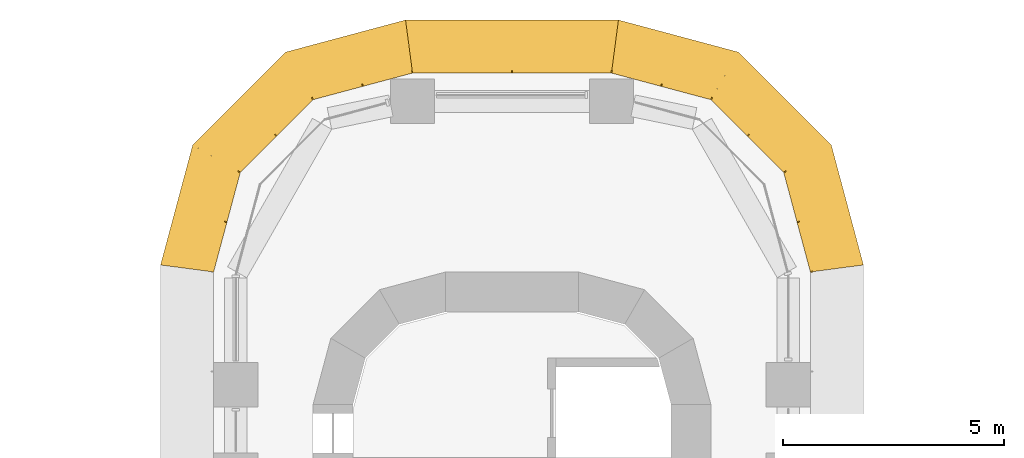
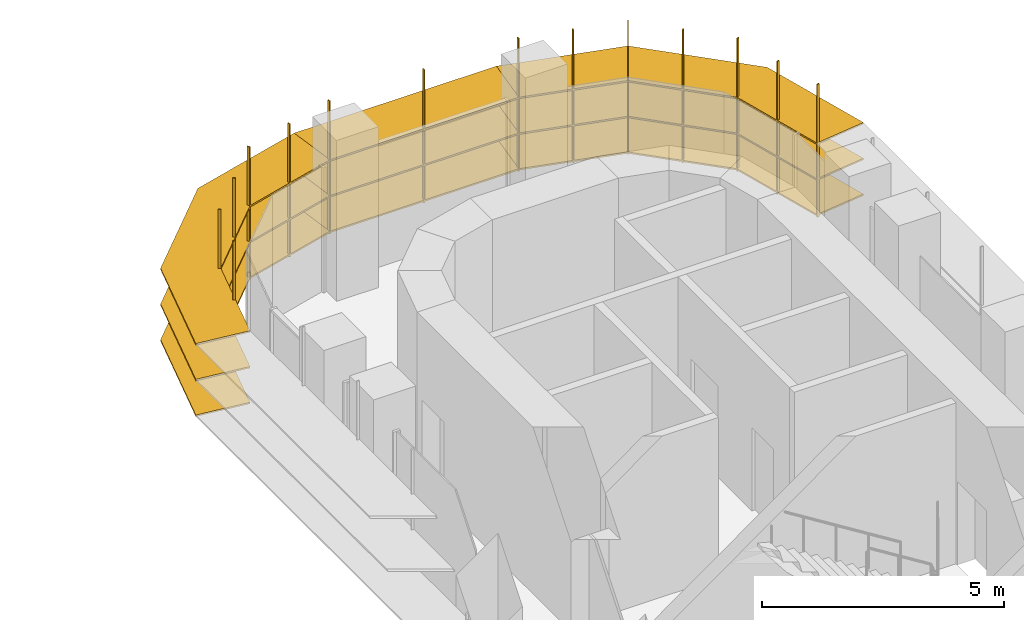
# One storey, part 23 of 23: 3 shading devices.
"""IFC4 building model written with IfcOpenShell, lengths in metres."""

import ifcopenshell
import ifcopenshell.guid

model = None  # the IFC model being written
_history = None  # IfcOwnerHistory: only IFC2X3 demands one
_inside = {}  # id of a spatial element -> (the spatial element, [elements in it])
_under = {}  # id of a project, library or spatial element -> (it, [spatial elements below it])
_declared = {}  # id of a project -> (the project, [libraries it declares])
_typed = {}  # id of a type object -> (the type object, [elements of that type])
_made_of = {}  # id of a material, layer set ... -> (it, [elements and type objects made of it])


def new_model(schema):
    """Start an empty IFC model of exactly this schema.

    Asked for "IFC4X3", IfcOpenShell would pick the latest addendum, in which some entities
    have other attributes; the version numbers below select the first issue.
    IFC2X3 requires an IfcOwnerHistory on every rooted entity: one is made here for all.
    """
    global model, _history
    if schema == "IFC4X3":
        model = ifcopenshell.file(schema_version=(4, 3, 0, 0))
    else:
        model = ifcopenshell.file(schema=schema)
    _inside.clear()
    _under.clear()
    _declared.clear()
    _typed.clear()
    _made_of.clear()
    _history = None
    if model.schema == "IFC2X3":
        org = make("IfcOrganization", Name="unknown")
        user = make(
            "IfcPersonAndOrganization",
            ThePerson=make("IfcPerson", FamilyName="unknown"),
            TheOrganization=org,
        )
        app = make(
            "IfcApplication",
            ApplicationDeveloper=org,
            Version="unknown",
            ApplicationFullName="unknown",
            ApplicationIdentifier="unknown",
        )
        _history = make(
            "IfcOwnerHistory",
            OwningUser=user,
            OwningApplication=app,
            ChangeAction="ADDED",
            CreationDate=0,
        )
    return model


def make(cls, **values):
    """One entity of the class cls with the attributes given. An attribute that is None is left unset."""
    return model.create_entity(
        cls, **{name: value for name, value in values.items() if value is not None}
    )


def rooted(cls, **values):
    """An entity with a GlobalId (a new one), such as an element, a storey or a relation."""
    return make(cls, GlobalId=ifcopenshell.guid.new(), OwnerHistory=_history, **values)


def si_unit(unit_type, name, prefix=None):
    """IfcSIUnit, for example si_unit("LENGTHUNIT", "METRE", prefix="MILLI")."""
    return make("IfcSIUnit", UnitType=unit_type, Prefix=prefix, Name=name)


def assignment(units):
    """IfcUnitAssignment: the units of a project."""
    return None if units is None else make("IfcUnitAssignment", Units=units)


def point(xyz):
    """IfcCartesianPoint."""
    return None if xyz is None else make("IfcCartesianPoint", Coordinates=xyz)


def direction(xyz):
    """IfcDirection."""
    return None if xyz is None else make("IfcDirection", DirectionRatios=xyz)


def frame(location, z_axis=None, x_axis=None):
    """IfcAxis2Placement3D, a coordinate frame: its origin and axes. An axis left out is left unset."""
    return make(
        "IfcAxis2Placement3D",
        Location=point(location),
        Axis=direction(z_axis),
        RefDirection=direction(x_axis),
    )


def origin():
    """The frame at (0, 0, 0) with its axes left unset."""
    return frame((0.0, 0.0, 0.0))


def place(relative_to, where):
    """IfcLocalPlacement: puts the frame where relative to a parent placement (None: the world)."""
    return make(
        "IfcLocalPlacement", PlacementRelTo=relative_to, RelativePlacement=where
    )


def context(
    kind, dimensions, precision=None, world=None, true_north=None, identifier=None
):
    """IfcGeometricRepresentationContext, for example the 3D "Model" context."""
    return make(
        "IfcGeometricRepresentationContext",
        ContextIdentifier=identifier,
        ContextType=kind,
        CoordinateSpaceDimension=dimensions,
        Precision=precision,
        WorldCoordinateSystem=world,
        TrueNorth=true_north,
    )


def subcontext(parent, identifier, kind, view, scale=None):
    """IfcGeometricRepresentationSubContext, for example "Body" below "Model"."""
    return make(
        "IfcGeometricRepresentationSubContext",
        ContextIdentifier=identifier,
        ContextType=kind,
        ParentContext=parent,
        TargetScale=scale,
        TargetView=view,
    )


def project(units=None, contexts=None):
    """IfcProject with its units and contexts."""
    return rooted(
        "IfcProject",
        Name="project",
        RepresentationContexts=contexts,
        UnitsInContext=assignment(units),
    )


def spatial(cls, under=None, at=None, **own):
    """A site, building, storey or space (cls), placed at a placement, below another one or the project."""
    s = rooted(cls, ObjectPlacement=at, **own)
    if under is not None:
        _under.setdefault(under.id(), (under, []))[1].append(s)
    return s


def polyline(points):
    """IfcPolyline through the points."""
    return make("IfcPolyline", Points=[point(p) for p in points])


def outline(outer, holes=None, kind="AREA"):
    """IfcArbitraryClosedProfileDef: a profile drawn as a closed curve; with holes, ...WithVoids."""
    if holes is None:
        return make("IfcArbitraryClosedProfileDef", ProfileType=kind, OuterCurve=outer)
    return make(
        "IfcArbitraryProfileDefWithVoids",
        ProfileType=kind,
        OuterCurve=outer,
        InnerCurves=holes,
    )


def extrude(swept, where, along, depth):
    """IfcExtrudedAreaSolid: the profile swept, set in the frame where, extruded along a direction by depth."""
    return make(
        "IfcExtrudedAreaSolid",
        SweptArea=swept,
        Position=where,
        ExtrudedDirection=direction(along),
        Depth=depth,
    )


def faces_of(points, faces, orient=None, outer=None):
    """IfcFace entities. A face is a list of loops; a loop is a list of indices into points, from 0.

    orient and outer hold one flag for each loop. By default every Orientation is true, the
    first loop of a face is its IfcFaceOuterBound and the others are IfcFaceBound.
    """
    made = []
    for i, loops in enumerate(faces):
        bounds = []
        for j, loop in enumerate(loops):
            is_outer = j == 0 if outer is None else outer[i][j]
            bounds.append(
                make(
                    "IfcFaceOuterBound" if is_outer else "IfcFaceBound",
                    Bound=make("IfcPolyLoop", Polygon=[points[k] for k in loop]),
                    Orientation=True if orient is None else orient[i][j],
                )
            )
        made.append(make("IfcFace", Bounds=bounds))
    return made


def faceted_brep(points, faces, orient=None, outer=None, voids=None):
    """IfcFacetedBrep: a solid bounded by flat faces; with voids (closed shells), ...WithVoids."""
    shared = [point(p) for p in points]
    hull = make("IfcClosedShell", CfsFaces=faces_of(shared, faces, orient, outer))
    if voids is None:
        return make("IfcFacetedBrep", Outer=hull)
    return make(
        "IfcFacetedBrepWithVoids",
        Outer=hull,
        Voids=[
            make(cls, CfsFaces=faces_of(shared, fs, o, b)) for cls, fs, o, b in voids
        ],
    )


def shape(context_of_items, identifier, shape_type, items):
    """IfcShapeRepresentation: the items that make up one representation, for example the "Body"."""
    return make(
        "IfcShapeRepresentation",
        ContextOfItems=context_of_items,
        RepresentationIdentifier=identifier,
        RepresentationType=shape_type,
        Items=items,
    )


def source(mapping_origin, context_of_items, identifier, shape_type, items):
    """IfcRepresentationMap: a shape defined once, which mapped items show again and again."""
    return make(
        "IfcRepresentationMap",
        MappingOrigin=mapping_origin,
        MappedRepresentation=shape(context_of_items, identifier, shape_type, items),
    )


def transform(
    local_origin,
    x_axis=None,
    y_axis=None,
    z_axis=None,
    scale=None,
    scale2=None,
    scale3=None,
    uniform=True,
):
    """IfcCartesianTransformationOperator3D, or its non-uniform kind. x_axis, y_axis, z_axis: its Axis1, 2, 3."""
    if uniform:
        return make(
            "IfcCartesianTransformationOperator3D",
            Axis1=direction(x_axis),
            Axis2=direction(y_axis),
            LocalOrigin=point(local_origin),
            Scale=scale,
            Axis3=direction(z_axis),
        )
    return make(
        "IfcCartesianTransformationOperator3DnonUniform",
        Axis1=direction(x_axis),
        Axis2=direction(y_axis),
        LocalOrigin=point(local_origin),
        Scale=scale,
        Axis3=direction(z_axis),
        Scale2=scale2,
        Scale3=scale3,
    )


def mapped(mapping_source, mapping_target):
    """IfcMappedItem: shows the shape of a source again, moved by a transform."""
    return make(
        "IfcMappedItem", MappingSource=mapping_source, MappingTarget=mapping_target
    )


def material(Name=None, Category=None):
    """IfcMaterial."""
    return make("IfcMaterial", Name=Name, Category=Category)


def made_of(thing, what):
    """Note that an element or type object is made of a material, layer set ...; save() writes the relation."""
    if what is not None:
        _made_of.setdefault(what.id(), (what, []))[1].append(thing)
    return thing


def type_object(cls, material=None, **own):
    """A type object (cls), such as IfcWallType, which elements share."""
    return made_of(rooted(cls, **own), material)


def element(
    cls,
    number,
    at=None,
    inside=None,
    cuts=None,
    type_object=None,
    material=None,
    context=None,
    identifier="Body",
    shape_type=None,
    held_by="IfcProductDefinitionShape",
    body=None,
    shapes=None,
    **own,
):
    """One element of the class cls, such as IfcWall. Its Tag is "e" and its number.

    at: its placement. inside: the storey or other place that contains it. cuts: it is an
    opening in that element (IfcRelVoidsElement). A single representation is given by context,
    identifier, shape_type and body (its items); several are given by shapes. held_by: the class
    of the entity that holds the representations. save() writes the other relations.
    """
    e = rooted(cls, Tag="e%d" % number, ObjectPlacement=at, **own)
    if body is not None:
        shapes = [shape(context, identifier, shape_type, body)]
    if shapes is not None:
        e.Representation = make(held_by, Representations=shapes)
    if inside is not None:
        _inside.setdefault(inside.id(), (inside, []))[1].append(e)
    if cuts is not None:
        rooted(
            "IfcRelVoidsElement", RelatingBuildingElement=cuts, RelatedOpeningElement=e
        )
    if type_object is not None:
        _typed.setdefault(type_object.id(), (type_object, []))[1].append(e)
    return made_of(e, material)


def aggregate(whole, parts):
    """IfcRelAggregates: a whole, such as a stair, and the parts it consists of."""
    return rooted("IfcRelAggregates", RelatingObject=whole, RelatedObjects=parts)


def save(model, path):
    """Write the relations noted so far, then the file.

    IfcRelAggregates (storeys below a building ...), IfcRelContainedInSpatialStructure (elements
    in a storey), IfcRelDefinesByType, IfcRelAssociatesMaterial and IfcRelDeclares: one each for
    every whole, place, type object, material and project.
    """
    for whole, parts in _under.values():
        aggregate(whole, parts)
    for where, things in _inside.values():
        rooted(
            "IfcRelContainedInSpatialStructure",
            RelatedElements=things,
            RelatingStructure=where,
        )
    for kind, things in _typed.values():
        rooted("IfcRelDefinesByType", RelatedObjects=things, RelatingType=kind)
    for what, things in _made_of.values():
        rooted("IfcRelAssociatesMaterial", RelatedObjects=things, RelatingMaterial=what)
    for by, libraries in _declared.values():
        rooted("IfcRelDeclares", RelatingContext=by, RelatedDefinitions=libraries)
    model.write(path)


model = new_model("IFC4")

# Units and contexts
model_context = context("Model", 3, precision=1e-05, world=origin(), true_north=direction((0.0, 1.0)))
body_context = subcontext(model_context, "Body", "Model", "MODEL_VIEW")
ifc_project = project(units=[si_unit("LENGTHUNIT", "METRE"), si_unit("AREAUNIT", "SQUARE_METRE"), si_unit("VOLUMEUNIT", "CUBIC_METRE"), si_unit("PLANEANGLEUNIT", "RADIAN"), si_unit("MASSUNIT", "GRAM", prefix="KILO")], contexts=[model_context])

# Site, building, storey
site_placement = place(None, origin())
site = spatial("IfcSite", under=ifc_project, at=site_placement, CompositionType="ELEMENT")
building_placement = place(site_placement, origin())
building = spatial("IfcBuilding", under=site, at=building_placement, Name="Zarbagh Exchange Tower", CompositionType="ELEMENT")
storey_placement = place(building_placement, frame((0.0, 0.0, 56.39990234375)))
storey = spatial("IfcBuildingStorey", under=building, at=storey_placement, Name="L12", CompositionType="ELEMENT", Elevation=56.39990234375)

# Shading devices
ifc_material = material(Name="Anodised aluminium blades and brackets", Category="aluminium")
shading_device_type = type_object("IfcShadingDeviceType", Name="SUNSHADE louvre band, 0 degree blades", PredefinedType="JALOUSIE", material=ifc_material)
shared_shape_1 = source(origin(), body_context, "Body", "Brep", [
    faceted_brep([(0.0, 0.0, 0.0), (0.0, 0.0, -0.0400390625), (-0.157958984375, -1.199951171875, -0.0400390625), (-0.157958984375, -1.199951171875, 0.0), (2.65087890625, -1.199951171875, 0.0), (2.65087890625, -1.199951171875, -0.0400390625), (2.329345703125, 0.0, -0.0400390625), (2.329345703125, 0.0, 0.0)], [[[0, 1, 2, 3]], [[4, 5, 6, 7]], [[0, 7, 6, 1]], [[1, 6, 5, 2]], [[2, 5, 4, 3]], [[3, 4, 7, 0]]]),
])
shared_shape_2 = source(origin(), body_context, "Body", "Brep", [
    faceted_brep([(0.0, 0.0, 0.0), (0.0, 0.0, -0.0400390625), (-0.321533203125, -1.199951171875, -0.0400390625), (-0.321533203125, -1.199951171875, 0.0), (2.65087890625, -1.199951171875, 0.0), (2.65087890625, -1.199951171875, -0.0400390625), (2.329345703125, 0.0, -0.0400390625), (2.329345703125, 0.0, 0.0)], [[[0, 1, 2, 3]], [[4, 5, 6, 7]], [[0, 7, 6, 1]], [[1, 6, 5, 2]], [[2, 5, 4, 3]], [[3, 4, 7, 0]]]),
])
shared_shape_3 = source(origin(), body_context, "Body", "Brep", [
    faceted_brep([(0.0, 0.0, 0.0), (0.0, 0.0, -0.0400390625), (-0.321533203125, -1.199951171875, -0.0400390625), (-0.321533203125, -1.199951171875, 0.0), (2.4873046875, -1.199951171875, 0.0), (2.4873046875, -1.199951171875, -0.0400390625), (2.329345703125, 0.0, -0.0400390625), (2.329345703125, 0.0, 0.0)], [[[0, 1, 2, 3]], [[4, 5, 6, 7]], [[0, 7, 6, 1]], [[1, 6, 5, 2]], [[2, 5, 4, 3]], [[3, 4, 7, 0]]]),
])
shared_shape_4 = source(origin(), body_context, "Body", "SweptSolid", [
    extrude(outline(polyline([(0.0, -0.012451171875), (0.06005859375, -0.012451171875), (0.06005859375, 0.012451171875), (0.0, 0.012451171875), (0.0, -0.012451171875)])), origin(), (0.0, 0.0, 1.0), 3.35009765625),
])
placement = place(storey_placement, origin())
element("IfcShadingDevice", 1, at=placement, inside=storey, type_object=shading_device_type, Name="SS11 sunshade band", PredefinedType="JALOUSIE", context=body_context, shape_type="MappedRepresentation", body=[
    mapped(shared_shape_1, transform((6.75, 29.25, 2.7001953125), x_axis=(-0.258824779902, 0.965924289636, 0.0), y_axis=(-0.965924289636, -0.258824779902, 0.0), z_axis=(0.0, 0.0, 1.0))),
    mapped(shared_shape_1, transform((6.75, 29.25, 1.800048828125), x_axis=(-0.258824779902, 0.965924289636, 0.0), y_axis=(-0.965924289636, -0.258824779902, 0.0), z_axis=(0.0, 0.0, 1.0))),
    mapped(shared_shape_1, transform((6.75, 29.25, 0.900146484375), x_axis=(-0.258824779902, 0.965924289636, 0.0), y_axis=(-0.965924289636, -0.258824779902, 0.0), z_axis=(0.0, 0.0, 1.0))),
    mapped(shared_shape_2, transform((6.147216796875, 31.5, 2.7001953125), x_axis=(-0.707106781187, 0.707106781187, 0.0), y_axis=(-0.707106781187, -0.707106781187, 0.0), z_axis=(0.0, 0.0, 1.0))),
    mapped(shared_shape_2, transform((6.147216796875, 31.5, 1.800048828125), x_axis=(-0.707106781187, 0.707106781187, 0.0), y_axis=(-0.707106781187, -0.707106781187, 0.0), z_axis=(0.0, 0.0, 1.0))),
    mapped(shared_shape_2, transform((6.147216796875, 31.5, 0.900146484375), x_axis=(-0.707106781187, 0.707106781187, 0.0), y_axis=(-0.707106781187, -0.707106781187, 0.0), z_axis=(0.0, 0.0, 1.0))),
    mapped(shared_shape_3, transform((4.5, 33.147216796875, 2.7001953125), x_axis=(-0.965924289636, 0.258824779902, 0.0), y_axis=(-0.258824779902, -0.965924289636, 0.0), z_axis=(0.0, 0.0, 1.0))),
    mapped(shared_shape_3, transform((4.5, 33.147216796875, 1.800048828125), x_axis=(-0.965924289636, 0.258824779902, 0.0), y_axis=(-0.258824779902, -0.965924289636, 0.0), z_axis=(0.0, 0.0, 1.0))),
    mapped(shared_shape_3, transform((4.5, 33.147216796875, 0.900146484375), x_axis=(-0.965924289636, 0.258824779902, 0.0), y_axis=(-0.258824779902, -0.965924289636, 0.0), z_axis=(0.0, 0.0, 1.0))),
    mapped(shared_shape_4, transform((6.75, 29.25, 0.830078125), x_axis=(0.991444457092, 0.130529263012, 0.0), y_axis=(-0.130529263012, 0.991444457092, 0.0), z_axis=(0.0, 0.0, 1.0))),
    mapped(shared_shape_4, transform((6.448486328125, 30.375, 0.830078125), x_axis=(0.96592421511, 0.258825058029, 0.0), y_axis=(-0.258825058029, 0.96592421511, 0.0), z_axis=(0.0, 0.0, 1.0))),
    mapped(shared_shape_4, transform((6.147216796875, 31.5, 0.830078125), x_axis=(0.866023812018, 0.50000275701, 0.0), y_axis=(-0.50000275701, 0.866023812018, 0.0), z_axis=(0.0, 0.0, 1.0))),
    mapped(shared_shape_4, transform((5.323486328125, 32.323486328125, 0.830078125), x_axis=(0.707106781187, 0.707106781187, 0.0), y_axis=(-0.707106781187, 0.707106781187, 0.0), z_axis=(0.0, 0.0, 1.0))),
    mapped(shared_shape_4, transform((4.5, 33.147216796875, 0.830078125), x_axis=(0.50000275701, 0.866023812018, 0.0), y_axis=(-0.866023812018, 0.50000275701, 0.0), z_axis=(0.0, 0.0, 1.0))),
    mapped(shared_shape_4, transform((3.375, 33.448486328125, 0.830078125), x_axis=(0.258825058029, 0.96592421511, 0.0), y_axis=(-0.96592421511, 0.258825058029, 0.0), z_axis=(0.0, 0.0, 1.0))),
])
element("IfcShadingDevice", 2, at=placement, inside=storey, type_object=shading_device_type, Name="SS13 sunshade band", PredefinedType="JALOUSIE", context=body_context, shape_type="MappedRepresentation", body=[
    mapped(shared_shape_1, transform((-2.25, 33.75, 2.7001953125), x_axis=(-0.965924289636, -0.258824779902, 0.0), y_axis=(0.258824779902, -0.965924289636, 0.0), z_axis=(0.0, 0.0, 1.0))),
    mapped(shared_shape_1, transform((-2.25, 33.75, 1.800048828125), x_axis=(-0.965924289636, -0.258824779902, 0.0), y_axis=(0.258824779902, -0.965924289636, 0.0), z_axis=(0.0, 0.0, 1.0))),
    mapped(shared_shape_1, transform((-2.25, 33.75, 0.900146484375), x_axis=(-0.965924289636, -0.258824779902, 0.0), y_axis=(0.258824779902, -0.965924289636, 0.0), z_axis=(0.0, 0.0, 1.0))),
    mapped(shared_shape_2, transform((-4.5, 33.147216796875, 2.7001953125), x_axis=(-0.707106781187, -0.707106781187, 0.0), y_axis=(0.707106781187, -0.707106781187, 0.0), z_axis=(0.0, 0.0, 1.0))),
    mapped(shared_shape_2, transform((-4.5, 33.147216796875, 1.800048828125), x_axis=(-0.707106781187, -0.707106781187, 0.0), y_axis=(0.707106781187, -0.707106781187, 0.0), z_axis=(0.0, 0.0, 1.0))),
    mapped(shared_shape_2, transform((-4.5, 33.147216796875, 0.900146484375), x_axis=(-0.707106781187, -0.707106781187, 0.0), y_axis=(0.707106781187, -0.707106781187, 0.0), z_axis=(0.0, 0.0, 1.0))),
    mapped(shared_shape_3, transform((-6.147216796875, 31.5, 2.7001953125), x_axis=(-0.258824779902, -0.965924289636, 0.0), y_axis=(0.965924289636, -0.258824779902, 0.0), z_axis=(0.0, 0.0, 1.0))),
    mapped(shared_shape_3, transform((-6.147216796875, 31.5, 1.800048828125), x_axis=(-0.258824779902, -0.965924289636, 0.0), y_axis=(0.965924289636, -0.258824779902, 0.0), z_axis=(0.0, 0.0, 1.0))),
    mapped(shared_shape_3, transform((-6.147216796875, 31.5, 0.900146484375), x_axis=(-0.258824779902, -0.965924289636, 0.0), y_axis=(0.965924289636, -0.258824779902, 0.0), z_axis=(0.0, 0.0, 1.0))),
    mapped(shared_shape_4, transform((-2.25, 33.75, 0.830078125), x_axis=(-0.130529263012, 0.991444457092, 0.0), y_axis=(-0.991444457092, -0.130529263012, 0.0), z_axis=(0.0, 0.0, 1.0))),
    mapped(shared_shape_4, transform((-3.375, 33.448486328125, 0.830078125), x_axis=(-0.258825058029, 0.96592421511, 0.0), y_axis=(-0.96592421511, -0.258825058029, 0.0), z_axis=(0.0, 0.0, 1.0))),
    mapped(shared_shape_4, transform((-4.5, 33.147216796875, 0.830078125), x_axis=(-0.50000275701, 0.866023812018, 0.0), y_axis=(-0.866023812018, -0.50000275701, 0.0), z_axis=(0.0, 0.0, 1.0))),
    mapped(shared_shape_4, transform((-5.323486328125, 32.323486328125, 0.830078125), x_axis=(-0.707106781187, 0.707106781187, 0.0), y_axis=(-0.707106781187, -0.707106781187, 0.0), z_axis=(0.0, 0.0, 1.0))),
    mapped(shared_shape_4, transform((-6.147216796875, 31.5, 0.830078125), x_axis=(-0.866023812018, 0.50000275701, 0.0), y_axis=(-0.50000275701, -0.866023812018, 0.0), z_axis=(0.0, 0.0, 1.0))),
    mapped(shared_shape_4, transform((-6.448486328125, 30.375, 0.830078125), x_axis=(-0.96592421511, 0.258825058029, 0.0), y_axis=(-0.258825058029, -0.96592421511, 0.0), z_axis=(0.0, 0.0, 1.0))),
])
shared_shape_5 = source(origin(), body_context, "Body", "Brep", [
    faceted_brep([(0.0, 0.0, 0.0), (0.0, 0.0, -0.0400390625), (-0.157958984375, -1.199951171875, -0.0400390625), (-0.157958984375, -1.199951171875, 0.0), (4.657958984375, -1.199951171875, 0.0), (4.657958984375, -1.199951171875, -0.0400390625), (4.5, 0.0, -0.0400390625), (4.5, 0.0, 0.0)], [[[0, 1, 2, 3]], [[4, 5, 6, 7]], [[0, 7, 6, 1]], [[1, 6, 5, 2]], [[2, 5, 4, 3]], [[3, 4, 7, 0]]]),
])
element("IfcShadingDevice", 3, at=placement, inside=storey, type_object=shading_device_type, Name="SS12 sunshade band", PredefinedType="JALOUSIE", context=body_context, shape_type="MappedRepresentation", body=[
    mapped(shared_shape_5, transform((2.25, 33.75, 2.7001953125), x_axis=(-1.0, 0.0, 0.0), y_axis=(0.0, -1.0, 0.0), z_axis=(0.0, 0.0, 1.0))),
    mapped(shared_shape_5, transform((2.25, 33.75, 1.800048828125), x_axis=(-1.0, 0.0, 0.0), y_axis=(0.0, -1.0, 0.0), z_axis=(0.0, 0.0, 1.0))),
    mapped(shared_shape_5, transform((2.25, 33.75, 0.900146484375), x_axis=(-1.0, 0.0, 0.0), y_axis=(0.0, -1.0, 0.0), z_axis=(0.0, 0.0, 1.0))),
    mapped(shared_shape_4, transform((2.25, 33.75, 0.830078125), x_axis=(0.130529263012, 0.991444457092, 0.0), y_axis=(-0.991444457092, 0.130529263012, 0.0), z_axis=(0.0, 0.0, 1.0))),
    mapped(shared_shape_4, transform((0.0, 33.75, 0.830078125), x_axis=(0.0, 1.0, 0.0), y_axis=(-1.0, 0.0, 0.0), z_axis=(0.0, 0.0, 1.0))),
])

save(model, "model.ifc")
